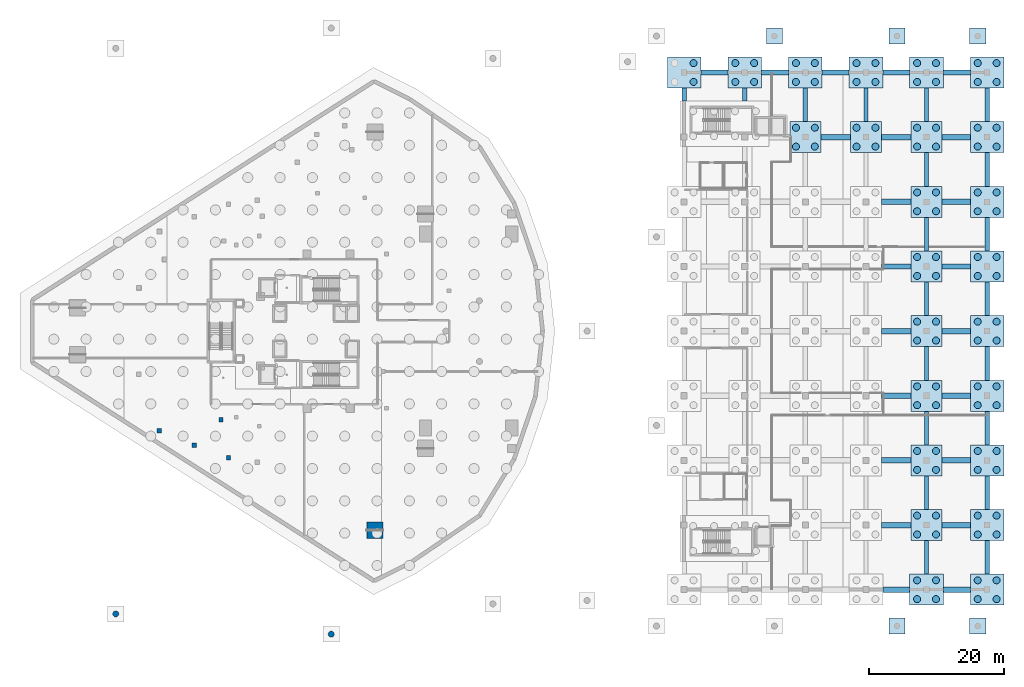
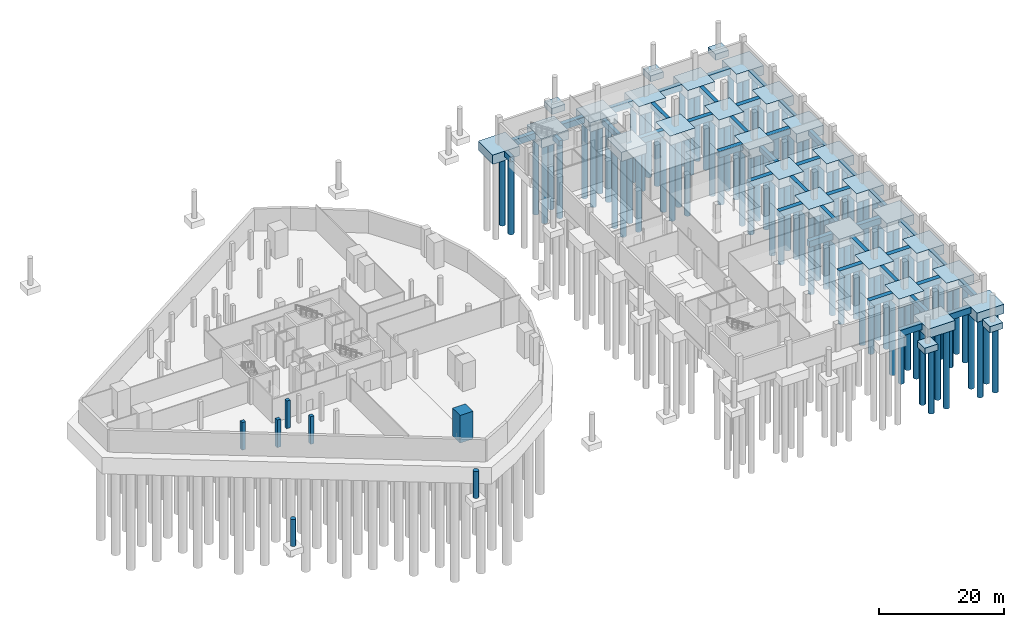
# One storey, part 3 of 22: 94 piles, 71 footings, 7 columns.
"""IFC4 building model written with IfcOpenShell, lengths in metres."""

import ifcopenshell
import ifcopenshell.guid

model = None  # the IFC model being written
_history = None  # IfcOwnerHistory: only IFC2X3 demands one
_inside = {}  # id of a spatial element -> (the spatial element, [elements in it])
_under = {}  # id of a project, library or spatial element -> (it, [spatial elements below it])
_declared = {}  # id of a project -> (the project, [libraries it declares])
_typed = {}  # id of a type object -> (the type object, [elements of that type])
_made_of = {}  # id of a material, layer set ... -> (it, [elements and type objects made of it])


def new_model(schema):
    """Start an empty IFC model of exactly this schema.

    Asked for "IFC4X3", IfcOpenShell would pick the latest addendum, in which some entities
    have other attributes; the version numbers below select the first issue.
    IFC2X3 requires an IfcOwnerHistory on every rooted entity: one is made here for all.
    """
    global model, _history
    if schema == "IFC4X3":
        model = ifcopenshell.file(schema_version=(4, 3, 0, 0))
    else:
        model = ifcopenshell.file(schema=schema)
    _inside.clear()
    _under.clear()
    _declared.clear()
    _typed.clear()
    _made_of.clear()
    _history = None
    if model.schema == "IFC2X3":
        org = make("IfcOrganization", Name="unknown")
        user = make(
            "IfcPersonAndOrganization",
            ThePerson=make("IfcPerson", FamilyName="unknown"),
            TheOrganization=org,
        )
        app = make(
            "IfcApplication",
            ApplicationDeveloper=org,
            Version="unknown",
            ApplicationFullName="unknown",
            ApplicationIdentifier="unknown",
        )
        _history = make(
            "IfcOwnerHistory",
            OwningUser=user,
            OwningApplication=app,
            ChangeAction="ADDED",
            CreationDate=0,
        )
    return model


def make(cls, **values):
    """One entity of the class cls with the attributes given. An attribute that is None is left unset."""
    return model.create_entity(
        cls, **{name: value for name, value in values.items() if value is not None}
    )


def rooted(cls, **values):
    """An entity with a GlobalId (a new one), such as an element, a storey or a relation."""
    return make(cls, GlobalId=ifcopenshell.guid.new(), OwnerHistory=_history, **values)


def si_unit(unit_type, name, prefix=None):
    """IfcSIUnit, for example si_unit("LENGTHUNIT", "METRE", prefix="MILLI")."""
    return make("IfcSIUnit", UnitType=unit_type, Prefix=prefix, Name=name)


def assignment(units):
    """IfcUnitAssignment: the units of a project."""
    return None if units is None else make("IfcUnitAssignment", Units=units)


def point(xyz):
    """IfcCartesianPoint."""
    return None if xyz is None else make("IfcCartesianPoint", Coordinates=xyz)


def direction(xyz):
    """IfcDirection."""
    return None if xyz is None else make("IfcDirection", DirectionRatios=xyz)


def frame(location, z_axis=None, x_axis=None):
    """IfcAxis2Placement3D, a coordinate frame: its origin and axes. An axis left out is left unset."""
    return make(
        "IfcAxis2Placement3D",
        Location=point(location),
        Axis=direction(z_axis),
        RefDirection=direction(x_axis),
    )


def frame_2d(location, x_axis=None):
    """IfcAxis2Placement2D, a coordinate frame in the plane: its origin and x axis."""
    return make(
        "IfcAxis2Placement2D", Location=point(location), RefDirection=direction(x_axis)
    )


def origin():
    """The frame at (0, 0, 0) with its axes left unset."""
    return frame((0.0, 0.0, 0.0))


def origin_2d():
    """The frame at (0, 0) in the plane with its x axis left unset."""
    return frame_2d((0.0, 0.0))


def place(relative_to, where):
    """IfcLocalPlacement: puts the frame where relative to a parent placement (None: the world)."""
    return make(
        "IfcLocalPlacement", PlacementRelTo=relative_to, RelativePlacement=where
    )


def context(
    kind, dimensions, precision=None, world=None, true_north=None, identifier=None
):
    """IfcGeometricRepresentationContext, for example the 3D "Model" context."""
    return make(
        "IfcGeometricRepresentationContext",
        ContextIdentifier=identifier,
        ContextType=kind,
        CoordinateSpaceDimension=dimensions,
        Precision=precision,
        WorldCoordinateSystem=world,
        TrueNorth=true_north,
    )


def subcontext(parent, identifier, kind, view, scale=None):
    """IfcGeometricRepresentationSubContext, for example "Body" below "Model"."""
    return make(
        "IfcGeometricRepresentationSubContext",
        ContextIdentifier=identifier,
        ContextType=kind,
        ParentContext=parent,
        TargetScale=scale,
        TargetView=view,
    )


def project(units=None, contexts=None):
    """IfcProject with its units and contexts."""
    return rooted(
        "IfcProject",
        Name="project",
        RepresentationContexts=contexts,
        UnitsInContext=assignment(units),
    )


def spatial(cls, under=None, at=None, **own):
    """A site, building, storey or space (cls), placed at a placement, below another one or the project."""
    s = rooted(cls, ObjectPlacement=at, **own)
    if under is not None:
        _under.setdefault(under.id(), (under, []))[1].append(s)
    return s


def profile(cls, at=None, kind="AREA", **sizes):
    """A parametric profile (cls). Its sizes go by their IFC names, for example OverallWidth=200.0."""
    return make(cls, ProfileType=kind, Position=at, **sizes)


def rectangle(**sizes):
    """IfcRectangleProfileDef."""
    return profile("IfcRectangleProfileDef", **sizes)


def circle(**sizes):
    """IfcCircleProfileDef."""
    return profile("IfcCircleProfileDef", **sizes)


def extrude(swept, where, along, depth):
    """IfcExtrudedAreaSolid: the profile swept, set in the frame where, extruded along a direction by depth."""
    return make(
        "IfcExtrudedAreaSolid",
        SweptArea=swept,
        Position=where,
        ExtrudedDirection=direction(along),
        Depth=depth,
    )


def shape(context_of_items, identifier, shape_type, items):
    """IfcShapeRepresentation: the items that make up one representation, for example the "Body"."""
    return make(
        "IfcShapeRepresentation",
        ContextOfItems=context_of_items,
        RepresentationIdentifier=identifier,
        RepresentationType=shape_type,
        Items=items,
    )


def material(Name=None, Category=None):
    """IfcMaterial."""
    return make("IfcMaterial", Name=Name, Category=Category)


def layer(
    of_material, thickness, ventilated=None, Name=None, Category=None, Priority=None
):
    """IfcMaterialLayer: one layer of a wall or slab, of a material (None: an air gap)."""
    return make(
        "IfcMaterialLayer",
        Material=of_material,
        LayerThickness=thickness,
        IsVentilated=ventilated,
        Name=Name,
        Category=Category,
        Priority=Priority,
    )


def layer_set(layers, Name=None):
    """IfcMaterialLayerSet."""
    return make("IfcMaterialLayerSet", MaterialLayers=layers, LayerSetName=Name)


def material_profile(
    of_material, cross_section, Name=None, Category=None, Priority=None
):
    """IfcMaterialProfile: a cross section and its material."""
    return make(
        "IfcMaterialProfile",
        Name=Name,
        Material=of_material,
        Profile=cross_section,
        Priority=Priority,
        Category=Category,
    )


def profile_set(profiles, Name=None, composite=None):
    """IfcMaterialProfileSet."""
    return make(
        "IfcMaterialProfileSet",
        Name=Name,
        MaterialProfiles=profiles,
        CompositeProfile=composite,
    )


def made_of(thing, what):
    """Note that an element or type object is made of a material, layer set ...; save() writes the relation."""
    if what is not None:
        _made_of.setdefault(what.id(), (what, []))[1].append(thing)
    return thing


def type_object(cls, material=None, **own):
    """A type object (cls), such as IfcWallType, which elements share."""
    return made_of(rooted(cls, **own), material)


def element(
    cls,
    number,
    at=None,
    inside=None,
    cuts=None,
    type_object=None,
    material=None,
    context=None,
    identifier="Body",
    shape_type=None,
    held_by="IfcProductDefinitionShape",
    body=None,
    shapes=None,
    **own,
):
    """One element of the class cls, such as IfcWall. Its Tag is "e" and its number.

    at: its placement. inside: the storey or other place that contains it. cuts: it is an
    opening in that element (IfcRelVoidsElement). A single representation is given by context,
    identifier, shape_type and body (its items); several are given by shapes. held_by: the class
    of the entity that holds the representations. save() writes the other relations.
    """
    e = rooted(cls, Tag="e%d" % number, ObjectPlacement=at, **own)
    if body is not None:
        shapes = [shape(context, identifier, shape_type, body)]
    if shapes is not None:
        e.Representation = make(held_by, Representations=shapes)
    if inside is not None:
        _inside.setdefault(inside.id(), (inside, []))[1].append(e)
    if cuts is not None:
        rooted(
            "IfcRelVoidsElement", RelatingBuildingElement=cuts, RelatedOpeningElement=e
        )
    if type_object is not None:
        _typed.setdefault(type_object.id(), (type_object, []))[1].append(e)
    return made_of(e, material)


def aggregate(whole, parts):
    """IfcRelAggregates: a whole, such as a stair, and the parts it consists of."""
    return rooted("IfcRelAggregates", RelatingObject=whole, RelatedObjects=parts)


def save(model, path):
    """Write the relations noted so far, then the file.

    IfcRelAggregates (storeys below a building ...), IfcRelContainedInSpatialStructure (elements
    in a storey), IfcRelDefinesByType, IfcRelAssociatesMaterial and IfcRelDeclares: one each for
    every whole, place, type object, material and project.
    """
    for whole, parts in _under.values():
        aggregate(whole, parts)
    for where, things in _inside.values():
        rooted(
            "IfcRelContainedInSpatialStructure",
            RelatedElements=things,
            RelatingStructure=where,
        )
    for kind, things in _typed.values():
        rooted("IfcRelDefinesByType", RelatedObjects=things, RelatingType=kind)
    for what, things in _made_of.values():
        rooted("IfcRelAssociatesMaterial", RelatedObjects=things, RelatingMaterial=what)
    for by, libraries in _declared.values():
        rooted("IfcRelDeclares", RelatingContext=by, RelatedDefinitions=libraries)
    model.write(path)


model = new_model("IFC4")

# Units and contexts
model_context = context("Model", 3, precision=1e-05, world=origin(), true_north=direction((0.0, 1.0)))
body_context = subcontext(model_context, "Body", "Model", "MODEL_VIEW")
ifc_project = project(units=[si_unit("LENGTHUNIT", "METRE"), si_unit("AREAUNIT", "SQUARE_METRE"), si_unit("VOLUMEUNIT", "CUBIC_METRE"), si_unit("PLANEANGLEUNIT", "RADIAN"), si_unit("MASSUNIT", "GRAM", prefix="KILO")], contexts=[model_context])

# Site, building, storey
site_placement = place(None, origin())
site = spatial("IfcSite", under=ifc_project, at=site_placement, CompositionType="ELEMENT")
building_placement = place(site_placement, origin())
building = spatial("IfcBuilding", under=site, at=building_placement, Name="Qorvath Tower", CompositionType="ELEMENT")
storey_placement = place(building_placement, frame((0.0, 0.0, -5.39990234375)))
storey = spatial("IfcBuildingStorey", under=building, at=storey_placement, Name="B01", CompositionType="ELEMENT", Elevation=-5.39990234375)

# Footings
ifc_material_1 = material(Name="Concrete C45/55", Category="concrete")
ifc_material_profile_1 = material_profile(ifc_material_1, rectangle(XDim=0.800048828125, YDim=1.199951171875, at=origin_2d()), Name="GB 800x1200")
ifc_profile_set_1 = profile_set([ifc_material_profile_1], Name="Concrete C45/55")
footing_type_1 = type_object("IfcFootingType", Name="FT-GB1", PredefinedType="FOOTING_BEAM", material=ifc_profile_set_1)
for number, where, z_axis, x_axis, name in (
    (1, (61.89990234375, -38.39990234375, -0.60009765625), (1.0, 0.0, 0.0), (0.0, 1.0, 0.0), "Library Tie Beam GB-004"),
    (2, (70.89990234375, -38.39990234375, -0.60009765625), (1.0, 0.0, 0.0), (0.0, 1.0, 0.0), "Library Tie Beam GB-005"),
):
    element("IfcFooting", number, at=place(storey_placement, frame(where, z_axis=z_axis, x_axis=x_axis)), inside=storey, type_object=footing_type_1, Name=name, PredefinedType="FOOTING_BEAM", context=body_context, shape_type="SweptSolid", body=[
        extrude(rectangle(XDim=0.800048828125, YDim=1.199951171875, at=origin_2d()), origin(), (0.0, 0.0, 1.0), 4.0),
    ])
footing_1_placement = place(storey_placement, frame((61.699951171875, -28.800048828125, -0.60009765625), z_axis=(1.0, 0.0, 0.0), x_axis=(0.0, 1.0, 0.0)))
element("IfcFooting", 3, at=footing_1_placement, inside=storey, type_object=footing_type_1, Name="Library Tie Beam GB-008", PredefinedType="FOOTING_BEAM", context=body_context, shape_type="SweptSolid", body=[
    extrude(rectangle(XDim=0.800048828125, YDim=1.199951171875, at=origin_2d()), origin(), (0.0, 0.0, 1.0), 4.400146484375),
])
footing_2_placement = place(storey_placement, frame((70.699951171875, -28.800048828125, -0.60009765625), z_axis=(1.0, 0.0, 0.0), x_axis=(0.0, 1.0, 0.0)))
element("IfcFooting", 4, at=footing_2_placement, inside=storey, type_object=footing_type_1, Name="Library Tie Beam GB-009", PredefinedType="FOOTING_BEAM", context=body_context, shape_type="SweptSolid", body=[
    extrude(rectangle(XDim=0.800048828125, YDim=1.199951171875, at=origin_2d()), origin(), (0.0, 0.0, 1.0), 4.199951171875),
])
footing_3_placement = place(storey_placement, frame((61.699951171875, -19.199951171875, -0.60009765625), z_axis=(1.0, 0.0, 0.0), x_axis=(0.0, 1.0, 0.0)))
element("IfcFooting", 5, at=footing_3_placement, inside=storey, type_object=footing_type_1, Name="Library Tie Beam GB-013", PredefinedType="FOOTING_BEAM", context=body_context, shape_type="SweptSolid", body=[
    extrude(rectangle(XDim=0.800048828125, YDim=1.199951171875, at=origin_2d()), origin(), (0.0, 0.0, 1.0), 4.400146484375),
])
footing_4_placement = place(storey_placement, frame((70.699951171875, -19.199951171875, -0.60009765625), z_axis=(1.0, 0.0, 0.0), x_axis=(0.0, 1.0, 0.0)))
element("IfcFooting", 6, at=footing_4_placement, inside=storey, type_object=footing_type_1, Name="Library Tie Beam GB-014", PredefinedType="FOOTING_BEAM", context=body_context, shape_type="SweptSolid", body=[
    extrude(rectangle(XDim=0.800048828125, YDim=1.199951171875, at=origin_2d()), origin(), (0.0, 0.0, 1.0), 4.199951171875),
])
footing_5_placement = place(storey_placement, frame((61.699951171875, -9.60009765625, -0.60009765625), z_axis=(1.0, 0.0, 0.0), x_axis=(0.0, 1.0, 0.0)))
element("IfcFooting", 7, at=footing_5_placement, inside=storey, type_object=footing_type_1, Name="Library Tie Beam GB-018", PredefinedType="FOOTING_BEAM", context=body_context, shape_type="SweptSolid", body=[
    extrude(rectangle(XDim=0.800048828125, YDim=1.199951171875, at=origin_2d()), origin(), (0.0, 0.0, 1.0), 4.400146484375),
])
footing_6_placement = place(storey_placement, frame((70.699951171875, -9.60009765625, -0.60009765625), z_axis=(1.0, 0.0, 0.0), x_axis=(0.0, 1.0, 0.0)))
element("IfcFooting", 8, at=footing_6_placement, inside=storey, type_object=footing_type_1, Name="Library Tie Beam GB-019", PredefinedType="FOOTING_BEAM", context=body_context, shape_type="SweptSolid", body=[
    extrude(rectangle(XDim=0.800048828125, YDim=1.199951171875, at=origin_2d()), origin(), (0.0, 0.0, 1.0), 4.199951171875),
])
footing_7_placement = place(storey_placement, frame((61.699951171875, 0.0, -0.60009765625), z_axis=(1.0, 0.0, 0.0), x_axis=(0.0, 1.0, 0.0)))
element("IfcFooting", 9, at=footing_7_placement, inside=storey, type_object=footing_type_1, Name="Library Tie Beam GB-023", PredefinedType="FOOTING_BEAM", context=body_context, shape_type="SweptSolid", body=[
    extrude(rectangle(XDim=0.800048828125, YDim=1.199951171875, at=origin_2d()), origin(), (0.0, 0.0, 1.0), 4.400146484375),
])
footing_8_placement = place(storey_placement, frame((70.699951171875, 0.0, -0.60009765625), z_axis=(1.0, 0.0, 0.0), x_axis=(0.0, 1.0, 0.0)))
element("IfcFooting", 10, at=footing_8_placement, inside=storey, type_object=footing_type_1, Name="Library Tie Beam GB-024", PredefinedType="FOOTING_BEAM", context=body_context, shape_type="SweptSolid", body=[
    extrude(rectangle(XDim=0.800048828125, YDim=1.199951171875, at=origin_2d()), origin(), (0.0, 0.0, 1.0), 4.199951171875),
])
footing_9_placement = place(storey_placement, frame((61.699951171875, 9.60009765625, -0.60009765625), z_axis=(1.0, 0.0, 0.0), x_axis=(0.0, 1.0, 0.0)))
element("IfcFooting", 11, at=footing_9_placement, inside=storey, type_object=footing_type_1, Name="Library Tie Beam GB-028", PredefinedType="FOOTING_BEAM", context=body_context, shape_type="SweptSolid", body=[
    extrude(rectangle(XDim=0.800048828125, YDim=1.199951171875, at=origin_2d()), origin(), (0.0, 0.0, 1.0), 4.400146484375),
])
footing_10_placement = place(storey_placement, frame((70.699951171875, 9.60009765625, -0.60009765625), z_axis=(1.0, 0.0, 0.0), x_axis=(0.0, 1.0, 0.0)))
element("IfcFooting", 12, at=footing_10_placement, inside=storey, type_object=footing_type_1, Name="Library Tie Beam GB-029", PredefinedType="FOOTING_BEAM", context=body_context, shape_type="SweptSolid", body=[
    extrude(rectangle(XDim=0.800048828125, YDim=1.199951171875, at=origin_2d()), origin(), (0.0, 0.0, 1.0), 4.199951171875),
])
footing_11_placement = place(storey_placement, frame((61.699951171875, 19.199951171875, -0.60009765625), z_axis=(1.0, 0.0, 0.0), x_axis=(0.0, 1.0, 0.0)))
element("IfcFooting", 13, at=footing_11_placement, inside=storey, type_object=footing_type_1, Name="Library Tie Beam GB-033", PredefinedType="FOOTING_BEAM", context=body_context, shape_type="SweptSolid", body=[
    extrude(rectangle(XDim=0.800048828125, YDim=1.199951171875, at=origin_2d()), origin(), (0.0, 0.0, 1.0), 4.400146484375),
])
footing_12_placement = place(storey_placement, frame((70.699951171875, 19.199951171875, -0.60009765625), z_axis=(1.0, 0.0, 0.0), x_axis=(0.0, 1.0, 0.0)))
element("IfcFooting", 14, at=footing_12_placement, inside=storey, type_object=footing_type_1, Name="Library Tie Beam GB-034", PredefinedType="FOOTING_BEAM", context=body_context, shape_type="SweptSolid", body=[
    extrude(rectangle(XDim=0.800048828125, YDim=1.199951171875, at=origin_2d()), origin(), (0.0, 0.0, 1.0), 4.199951171875),
])
for number, where, z_axis, x_axis, name in (
    (15, (52.699951171875, 28.800048828125, -0.60009765625), (1.0, 0.0, 0.0), (0.0, 1.0, 0.0), "Library Tie Beam GB-036"),
    (16, (61.699951171875, 28.800048828125, -0.60009765625), (1.0, 0.0, 0.0), (0.0, 1.0, 0.0), "Library Tie Beam GB-037"),
):
    element("IfcFooting", number, at=place(storey_placement, frame(where, z_axis=z_axis, x_axis=x_axis)), inside=storey, type_object=footing_type_1, Name=name, PredefinedType="FOOTING_BEAM", context=body_context, shape_type="SweptSolid", body=[
        extrude(rectangle(XDim=0.800048828125, YDim=1.199951171875, at=origin_2d()), origin(), (0.0, 0.0, 1.0), 4.400146484375),
    ])
footing_13_placement = place(storey_placement, frame((70.699951171875, 28.800048828125, -0.60009765625), z_axis=(1.0, 0.0, 0.0), x_axis=(0.0, 1.0, 0.0)))
element("IfcFooting", 17, at=footing_13_placement, inside=storey, type_object=footing_type_1, Name="Library Tie Beam GB-038", PredefinedType="FOOTING_BEAM", context=body_context, shape_type="SweptSolid", body=[
    extrude(rectangle(XDim=0.800048828125, YDim=1.199951171875, at=origin_2d()), origin(), (0.0, 0.0, 1.0), 4.199951171875),
])
for number, where, z_axis, x_axis, name in (
    (18, (34.89990234375, 38.39990234375, -0.60009765625), (1.0, 0.0, 0.0), (0.0, 1.0, 0.0), "Library Tie Beam GB-039"),
    (19, (43.89990234375, 38.39990234375, -0.60009765625), (1.0, 0.0, 0.0), (0.0, 1.0, 0.0), "Library Tie Beam GB-040"),
    (20, (52.89990234375, 38.39990234375, -0.60009765625), (1.0, 0.0, 0.0), (0.0, 1.0, 0.0), "Library Tie Beam GB-041"),
    (21, (61.89990234375, 38.39990234375, -0.60009765625), (1.0, 0.0, 0.0), (0.0, 1.0, 0.0), "Library Tie Beam GB-042"),
    (22, (70.89990234375, 38.39990234375, -0.60009765625), (1.0, 0.0, 0.0), (0.0, 1.0, 0.0), "Library Tie Beam GB-043"),
):
    element("IfcFooting", number, at=place(storey_placement, frame(where, z_axis=z_axis, x_axis=x_axis)), inside=storey, type_object=footing_type_1, Name=name, PredefinedType="FOOTING_BEAM", context=body_context, shape_type="SweptSolid", body=[
        extrude(rectangle(XDim=0.800048828125, YDim=1.199951171875, at=origin_2d()), origin(), (0.0, 0.0, 1.0), 4.0),
    ])
ifc_material_2 = material(Name="Concrete C45/55", Category="concrete")
ifc_material_profile_2 = material_profile(ifc_material_2, rectangle(XDim=0.64990234375, YDim=1.0, at=origin_2d()), Name="GB 650x1000")
ifc_profile_set_2 = profile_set([ifc_material_profile_2], Name="Concrete C45/55")
footing_type_2 = type_object("IfcFootingType", Name="FT-GB2", PredefinedType="FOOTING_BEAM", material=ifc_profile_set_2)
for number, where, z_axis, x_axis, name in (
    (23, (32.39990234375, 34.199951171875, -0.5), (0.0, 1.0, 0.0), (-1.0, 0.0, 0.0), "Library Tie Beam GB-051"),
    (24, (41.39990234375, 34.199951171875, -0.5), (0.0, 1.0, 0.0), (-1.0, 0.0, 0.0), "Library Tie Beam GB-059"),
):
    element("IfcFooting", number, at=place(storey_placement, frame(where, z_axis=z_axis, x_axis=x_axis)), inside=storey, type_object=footing_type_2, Name=name, PredefinedType="FOOTING_BEAM", context=body_context, shape_type="SweptSolid", body=[
        extrude(rectangle(XDim=0.64990234375, YDim=1.0, at=origin_2d()), origin(), (0.0, 0.0, 1.0), 1.900146484375),
    ])
for number, where, z_axis, x_axis, name in (
    (25, (50.39990234375, 31.10009765625, -0.5), (0.0, 1.0, 0.0), (-1.0, 0.0, 0.0), "Library Tie Beam GB-067"),
    (26, (59.39990234375, 31.10009765625, -0.5), (0.0, 1.0, 0.0), (-1.0, 0.0, 0.0), "Library Tie Beam GB-075"),
    (27, (68.39990234375, -36.10009765625, -0.5), (0.0, 1.0, 0.0), (-1.0, 0.0, 0.0), "Library Tie Beam GB-076"),
    (28, (68.39990234375, -26.5, -0.5), (0.0, 1.0, 0.0), (-1.0, 0.0, 0.0), "Library Tie Beam GB-077"),
    (29, (68.39990234375, -16.89990234375, -0.5), (0.0, 1.0, 0.0), (-1.0, 0.0, 0.0), "Library Tie Beam GB-078"),
    (30, (68.39990234375, -7.300048828125, -0.5), (0.0, 1.0, 0.0), (-1.0, 0.0, 0.0), "Library Tie Beam GB-079"),
    (31, (68.39990234375, 2.300048828125, -0.5), (0.0, 1.0, 0.0), (-1.0, 0.0, 0.0), "Library Tie Beam GB-080"),
    (32, (68.39990234375, 11.89990234375, -0.5), (0.0, 1.0, 0.0), (-1.0, 0.0, 0.0), "Library Tie Beam GB-081"),
    (33, (68.39990234375, 21.5, -0.5), (0.0, 1.0, 0.0), (-1.0, 0.0, 0.0), "Library Tie Beam GB-082"),
    (34, (68.39990234375, 31.10009765625, -0.5), (0.0, 1.0, 0.0), (-1.0, 0.0, 0.0), "Library Tie Beam GB-083"),
    (35, (77.39990234375, -36.10009765625, -0.5), (0.0, 1.0, 0.0), (-1.0, 0.0, 0.0), "Library Tie Beam GB-084"),
    (36, (77.39990234375, -26.5, -0.5), (0.0, 1.0, 0.0), (-1.0, 0.0, 0.0), "Library Tie Beam GB-085"),
    (37, (77.39990234375, -16.89990234375, -0.5), (0.0, 1.0, 0.0), (-1.0, 0.0, 0.0), "Library Tie Beam GB-086"),
    (38, (77.39990234375, -7.300048828125, -0.5), (0.0, 1.0, 0.0), (-1.0, 0.0, 0.0), "Library Tie Beam GB-087"),
    (39, (77.39990234375, 2.300048828125, -0.5), (0.0, 1.0, 0.0), (-1.0, 0.0, 0.0), "Library Tie Beam GB-088"),
    (40, (77.39990234375, 11.89990234375, -0.5), (0.0, 1.0, 0.0), (-1.0, 0.0, 0.0), "Library Tie Beam GB-089"),
    (41, (77.39990234375, 21.5, -0.5), (0.0, 1.0, 0.0), (-1.0, 0.0, 0.0), "Library Tie Beam GB-090"),
    (42, (77.39990234375, 31.10009765625, -0.5), (0.0, 1.0, 0.0), (-1.0, 0.0, 0.0), "Library Tie Beam GB-091"),
):
    element("IfcFooting", number, at=place(storey_placement, frame(where, z_axis=z_axis, x_axis=x_axis)), inside=storey, type_object=footing_type_2, Name=name, PredefinedType="FOOTING_BEAM", context=body_context, shape_type="SweptSolid", body=[
        extrude(rectangle(XDim=0.64990234375, YDim=1.0, at=origin_2d()), origin(), (0.0, 0.0, 1.0), 5.0),
    ])
ifc_material_3 = material(Name="Concrete C45/55", Category="concrete")
ifc_layer_1 = layer(ifc_material_3, 1.800048828125)
ifc_layer_set_1 = layer_set([ifc_layer_1], Name="FT-PC-L1")
footing_type_3 = type_object("IfcFootingType", Name="FT-PC-L1", PredefinedType="PILE_CAP", material=ifc_layer_set_1)
for number, where, z_axis, x_axis, name in (
    (43, (50.39990234375, 28.800048828125, -1.80029296875), (0.0, 0.0, 1.0), (1.0, 0.0, 0.0), "Library Pile Cap PC-22"),
    (44, (59.39990234375, 28.800048828125, -1.80029296875), (0.0, 0.0, 1.0), (1.0, 0.0, 0.0), "Library Pile Cap PC-31"),
    (45, (68.39990234375, -28.800048828125, -1.80029296875), (0.0, 0.0, 1.0), (1.0, 0.0, 0.0), "Library Pile Cap PC-34"),
    (46, (68.39990234375, -19.199951171875, -1.80029296875), (0.0, 0.0, 1.0), (1.0, 0.0, 0.0), "Library Pile Cap PC-35"),
    (47, (68.39990234375, -9.60009765625, -1.80029296875), (0.0, 0.0, 1.0), (1.0, 0.0, 0.0), "Library Pile Cap PC-36"),
    (48, (68.39990234375, 0.0, -1.80029296875), (0.0, 0.0, 1.0), (1.0, 0.0, 0.0), "Library Pile Cap PC-37"),
    (49, (68.39990234375, 9.60009765625, -1.80029296875), (0.0, 0.0, 1.0), (1.0, 0.0, 0.0), "Library Pile Cap PC-38"),
    (50, (68.39990234375, 19.199951171875, -1.80029296875), (0.0, 0.0, 1.0), (1.0, 0.0, 0.0), "Library Pile Cap PC-39"),
    (51, (68.39990234375, 28.800048828125, -1.80029296875), (0.0, 0.0, 1.0), (1.0, 0.0, 0.0), "Library Pile Cap PC-40"),
):
    element("IfcFooting", number, at=place(storey_placement, frame(where, z_axis=z_axis, x_axis=x_axis)), inside=storey, type_object=footing_type_3, Name=name, PredefinedType="PILE_CAP", context=body_context, shape_type="SweptSolid", body=[
        extrude(rectangle(XDim=4.60009765625, YDim=4.60009765625, at=origin_2d()), origin(), (0.0, 0.0, 1.0), 1.800048828125),
    ])
ifc_material_4 = material(Name="Concrete C45/55", Category="concrete")
ifc_layer_2 = layer(ifc_material_4, 1.800048828125)
ifc_layer_set_2 = layer_set([ifc_layer_2], Name="FT-PC-L2")
footing_type_4 = type_object("IfcFootingType", Name="FT-PC-L2", PredefinedType="PILE_CAP", material=ifc_layer_set_2)
for number, where, z_axis, x_axis, name in (
    (52, (32.39990234375, 38.39990234375, -1.80029296875), (0.0, 0.0, 1.0), (1.0, 0.0, 0.0), "Library Pile Cap PC-07"),
    (53, (41.39990234375, 38.39990234375, -1.80029296875), (0.0, 0.0, 1.0), (1.0, 0.0, 0.0), "Library Pile Cap PC-14"),
    (54, (50.39990234375, 38.39990234375, -1.80029296875), (0.0, 0.0, 1.0), (1.0, 0.0, 0.0), "Library Pile Cap PC-23"),
    (55, (59.39990234375, 38.39990234375, -1.80029296875), (0.0, 0.0, 1.0), (1.0, 0.0, 0.0), "Library Pile Cap PC-32"),
    (56, (68.39990234375, -38.39990234375, -1.80029296875), (0.0, 0.0, 1.0), (1.0, 0.0, 0.0), "Library Pile Cap PC-33"),
    (57, (68.39990234375, 38.39990234375, -1.80029296875), (0.0, 0.0, 1.0), (1.0, 0.0, 0.0), "Library Pile Cap PC-41"),
    (58, (77.39990234375, -38.39990234375, -1.80029296875), (0.0, 0.0, 1.0), (1.0, 0.0, 0.0), "Library Pile Cap PC-42"),
    (59, (77.39990234375, -28.800048828125, -1.80029296875), (0.0, 0.0, 1.0), (1.0, 0.0, 0.0), "Library Pile Cap PC-43"),
    (60, (77.39990234375, -19.199951171875, -1.80029296875), (0.0, 0.0, 1.0), (1.0, 0.0, 0.0), "Library Pile Cap PC-44"),
    (61, (77.39990234375, -9.60009765625, -1.80029296875), (0.0, 0.0, 1.0), (1.0, 0.0, 0.0), "Library Pile Cap PC-45"),
    (62, (77.39990234375, 0.0, -1.80029296875), (0.0, 0.0, 1.0), (1.0, 0.0, 0.0), "Library Pile Cap PC-46"),
    (63, (77.39990234375, 9.60009765625, -1.80029296875), (0.0, 0.0, 1.0), (1.0, 0.0, 0.0), "Library Pile Cap PC-47"),
    (64, (77.39990234375, 19.199951171875, -1.80029296875), (0.0, 0.0, 1.0), (1.0, 0.0, 0.0), "Library Pile Cap PC-48"),
    (65, (77.39990234375, 28.800048828125, -1.80029296875), (0.0, 0.0, 1.0), (1.0, 0.0, 0.0), "Library Pile Cap PC-49"),
    (66, (77.39990234375, 38.39990234375, -1.80029296875), (0.0, 0.0, 1.0), (1.0, 0.0, 0.0), "Library Pile Cap PC-50"),
):
    element("IfcFooting", number, at=place(storey_placement, frame(where, z_axis=z_axis, x_axis=x_axis)), inside=storey, type_object=footing_type_4, Name=name, PredefinedType="PILE_CAP", context=body_context, shape_type="SweptSolid", body=[
        extrude(rectangle(XDim=5.0, YDim=4.60009765625, at=origin_2d()), origin(), (0.0, 0.0, 1.0), 1.800048828125),
    ])
ifc_material_5 = material(Name="Concrete C45/55", Category="concrete")
ifc_layer_3 = layer(ifc_material_5, 1.199951171875)
ifc_layer_set_3 = layer_set([ifc_layer_3], Name="FT-PF1")
footing_type_5 = type_object("IfcFootingType", Name="FT-PF1", PredefinedType="PAD_FOOTING", material=ifc_layer_set_3)
for number, where, z_axis, x_axis, name in (
    (67, (45.800048828125, 43.800048828125, -1.2001953125), (0.0, 0.0, 1.0), (1.0, 0.0, 0.0), "Plaza Deck Pad Footing PF-17"),
    (68, (64.0, 43.800048828125, -1.2001953125), (0.0, 0.0, 1.0), (1.0, 0.0, 0.0), "Plaza Deck Pad Footing PF-18"),
    (69, (76.0, 43.800048828125, -1.2001953125), (0.0, 0.0, 1.0), (1.0, 0.0, 0.0), "Plaza Deck Pad Footing PF-19"),
    (70, (64.0, -43.800048828125, -1.2001953125), (0.0, 0.0, 1.0), (1.0, 0.0, 0.0), "Plaza Deck Pad Footing PF-21"),
    (71, (76.0, -43.800048828125, -1.2001953125), (0.0, 0.0, 1.0), (1.0, 0.0, 0.0), "Plaza Deck Pad Footing PF-22"),
):
    element("IfcFooting", number, at=place(storey_placement, frame(where, z_axis=z_axis, x_axis=x_axis)), inside=storey, type_object=footing_type_5, Name=name, PredefinedType="PAD_FOOTING", context=body_context, shape_type="SweptSolid", body=[
        extrude(rectangle(XDim=2.39990234375, YDim=2.39990234375, at=origin_2d()), origin(), (0.0, 0.0, 1.0), 1.199951171875),
    ])

# Piles
ifc_material_6 = material(Name="Concrete C45/55", Category="concrete")
ifc_material_profile_3 = material_profile(ifc_material_6, circle(Radius=0.52490234375, at=origin_2d()), Name="BORED PILE 1050")
ifc_profile_set_3 = profile_set([ifc_material_profile_3], Name="Concrete C45/55")
pile_type = type_object("IfcPileType", Name="PILE-P2", PredefinedType="BORED", material=ifc_profile_set_3)
for number, where, z_axis, x_axis, name in (
    (72, (33.800048828125, 37.0, -1.7001953125), (0.0, 0.0, -1.0), (1.0, 0.0, 0.0), "Library Bored Pile P2-043"),
    (73, (33.800048828125, 39.800048828125, -1.7001953125), (0.0, 0.0, -1.0), (1.0, 0.0, 0.0), "Library Bored Pile P2-044"),
    (74, (40.0, 37.0, -1.7001953125), (0.0, 0.0, -1.0), (1.0, 0.0, 0.0), "Library Bored Pile P2-069"),
    (75, (40.0, 39.800048828125, -1.7001953125), (0.0, 0.0, -1.0), (1.0, 0.0, 0.0), "Library Bored Pile P2-070"),
    (76, (42.800048828125, 37.0, -1.7001953125), (0.0, 0.0, -1.0), (1.0, 0.0, 0.0), "Library Bored Pile P2-071"),
    (77, (42.800048828125, 39.800048828125, -1.7001953125), (0.0, 0.0, -1.0), (1.0, 0.0, 0.0), "Library Bored Pile P2-072"),
    (78, (49.0, 27.39990234375, -1.7001953125), (0.0, 0.0, -1.0), (1.0, 0.0, 0.0), "Library Bored Pile P2-101"),
    (79, (49.0, 30.199951171875, -1.7001953125), (0.0, 0.0, -1.0), (1.0, 0.0, 0.0), "Library Bored Pile P2-102"),
    (80, (51.800048828125, 27.39990234375, -1.7001953125), (0.0, 0.0, -1.0), (1.0, 0.0, 0.0), "Library Bored Pile P2-103"),
    (81, (51.800048828125, 30.199951171875, -1.7001953125), (0.0, 0.0, -1.0), (1.0, 0.0, 0.0), "Library Bored Pile P2-104"),
    (82, (49.0, 37.0, -1.7001953125), (0.0, 0.0, -1.0), (1.0, 0.0, 0.0), "Library Bored Pile P2-105"),
    (83, (49.0, 39.800048828125, -1.7001953125), (0.0, 0.0, -1.0), (1.0, 0.0, 0.0), "Library Bored Pile P2-106"),
    (84, (51.800048828125, 37.0, -1.7001953125), (0.0, 0.0, -1.0), (1.0, 0.0, 0.0), "Library Bored Pile P2-107"),
    (85, (51.800048828125, 39.800048828125, -1.7001953125), (0.0, 0.0, -1.0), (1.0, 0.0, 0.0), "Library Bored Pile P2-108"),
    (86, (58.0, 27.39990234375, -1.7001953125), (0.0, 0.0, -1.0), (1.0, 0.0, 0.0), "Library Bored Pile P2-137"),
    (87, (58.0, 30.199951171875, -1.7001953125), (0.0, 0.0, -1.0), (1.0, 0.0, 0.0), "Library Bored Pile P2-138"),
    (88, (60.800048828125, 27.39990234375, -1.7001953125), (0.0, 0.0, -1.0), (1.0, 0.0, 0.0), "Library Bored Pile P2-139"),
    (89, (60.800048828125, 30.199951171875, -1.7001953125), (0.0, 0.0, -1.0), (1.0, 0.0, 0.0), "Library Bored Pile P2-140"),
    (90, (58.0, 37.0, -1.7001953125), (0.0, 0.0, -1.0), (1.0, 0.0, 0.0), "Library Bored Pile P2-141"),
    (91, (58.0, 39.800048828125, -1.7001953125), (0.0, 0.0, -1.0), (1.0, 0.0, 0.0), "Library Bored Pile P2-142"),
    (92, (60.800048828125, 37.0, -1.7001953125), (0.0, 0.0, -1.0), (1.0, 0.0, 0.0), "Library Bored Pile P2-143"),
    (93, (60.800048828125, 39.800048828125, -1.7001953125), (0.0, 0.0, -1.0), (1.0, 0.0, 0.0), "Library Bored Pile P2-144"),
    (94, (67.0, -39.800048828125, -1.7001953125), (0.0, 0.0, -1.0), (1.0, 0.0, 0.0), "Library Bored Pile P2-145"),
    (95, (67.0, -37.0, -1.7001953125), (0.0, 0.0, -1.0), (1.0, 0.0, 0.0), "Library Bored Pile P2-146"),
    (96, (69.800048828125, -39.800048828125, -1.7001953125), (0.0, 0.0, -1.0), (1.0, 0.0, 0.0), "Library Bored Pile P2-147"),
    (97, (69.800048828125, -37.0, -1.7001953125), (0.0, 0.0, -1.0), (1.0, 0.0, 0.0), "Library Bored Pile P2-148"),
    (98, (67.0, -30.199951171875, -1.7001953125), (0.0, 0.0, -1.0), (1.0, 0.0, 0.0), "Library Bored Pile P2-149"),
    (99, (67.0, -27.39990234375, -1.7001953125), (0.0, 0.0, -1.0), (1.0, 0.0, 0.0), "Library Bored Pile P2-150"),
    (100, (69.800048828125, -30.199951171875, -1.7001953125), (0.0, 0.0, -1.0), (1.0, 0.0, 0.0), "Library Bored Pile P2-151"),
    (101, (69.800048828125, -27.39990234375, -1.7001953125), (0.0, 0.0, -1.0), (1.0, 0.0, 0.0), "Library Bored Pile P2-152"),
    (102, (67.0, -20.60009765625, -1.7001953125), (0.0, 0.0, -1.0), (1.0, 0.0, 0.0), "Library Bored Pile P2-153"),
    (103, (67.0, -17.800048828125, -1.7001953125), (0.0, 0.0, -1.0), (1.0, 0.0, 0.0), "Library Bored Pile P2-154"),
    (104, (69.800048828125, -20.60009765625, -1.7001953125), (0.0, 0.0, -1.0), (1.0, 0.0, 0.0), "Library Bored Pile P2-155"),
    (105, (69.800048828125, -17.800048828125, -1.7001953125), (0.0, 0.0, -1.0), (1.0, 0.0, 0.0), "Library Bored Pile P2-156"),
    (106, (67.0, -11.0, -1.7001953125), (0.0, 0.0, -1.0), (1.0, 0.0, 0.0), "Library Bored Pile P2-157"),
    (107, (67.0, -8.199951171875, -1.7001953125), (0.0, 0.0, -1.0), (1.0, 0.0, 0.0), "Library Bored Pile P2-158"),
    (108, (69.800048828125, -11.0, -1.7001953125), (0.0, 0.0, -1.0), (1.0, 0.0, 0.0), "Library Bored Pile P2-159"),
    (109, (69.800048828125, -8.199951171875, -1.7001953125), (0.0, 0.0, -1.0), (1.0, 0.0, 0.0), "Library Bored Pile P2-160"),
    (110, (67.0, -1.39990234375, -1.7001953125), (0.0, 0.0, -1.0), (1.0, 0.0, 0.0), "Library Bored Pile P2-161"),
    (111, (67.0, 1.39990234375, -1.7001953125), (0.0, 0.0, -1.0), (1.0, 0.0, 0.0), "Library Bored Pile P2-162"),
    (112, (69.800048828125, -1.39990234375, -1.7001953125), (0.0, 0.0, -1.0), (1.0, 0.0, 0.0), "Library Bored Pile P2-163"),
    (113, (69.800048828125, 1.39990234375, -1.7001953125), (0.0, 0.0, -1.0), (1.0, 0.0, 0.0), "Library Bored Pile P2-164"),
    (114, (67.0, 8.199951171875, -1.7001953125), (0.0, 0.0, -1.0), (1.0, 0.0, 0.0), "Library Bored Pile P2-165"),
    (115, (67.0, 11.0, -1.7001953125), (0.0, 0.0, -1.0), (1.0, 0.0, 0.0), "Library Bored Pile P2-166"),
    (116, (69.800048828125, 8.199951171875, -1.7001953125), (0.0, 0.0, -1.0), (1.0, 0.0, 0.0), "Library Bored Pile P2-167"),
    (117, (69.800048828125, 11.0, -1.7001953125), (0.0, 0.0, -1.0), (1.0, 0.0, 0.0), "Library Bored Pile P2-168"),
    (118, (67.0, 17.800048828125, -1.7001953125), (0.0, 0.0, -1.0), (1.0, 0.0, 0.0), "Library Bored Pile P2-169"),
    (119, (67.0, 20.60009765625, -1.7001953125), (0.0, 0.0, -1.0), (1.0, 0.0, 0.0), "Library Bored Pile P2-170"),
    (120, (69.800048828125, 17.800048828125, -1.7001953125), (0.0, 0.0, -1.0), (1.0, 0.0, 0.0), "Library Bored Pile P2-171"),
    (121, (69.800048828125, 20.60009765625, -1.7001953125), (0.0, 0.0, -1.0), (1.0, 0.0, 0.0), "Library Bored Pile P2-172"),
    (122, (67.0, 27.39990234375, -1.7001953125), (0.0, 0.0, -1.0), (1.0, 0.0, 0.0), "Library Bored Pile P2-173"),
    (123, (67.0, 30.199951171875, -1.7001953125), (0.0, 0.0, -1.0), (1.0, 0.0, 0.0), "Library Bored Pile P2-174"),
    (124, (69.800048828125, 27.39990234375, -1.7001953125), (0.0, 0.0, -1.0), (1.0, 0.0, 0.0), "Library Bored Pile P2-175"),
    (125, (69.800048828125, 30.199951171875, -1.7001953125), (0.0, 0.0, -1.0), (1.0, 0.0, 0.0), "Library Bored Pile P2-176"),
    (126, (67.0, 37.0, -1.7001953125), (0.0, 0.0, -1.0), (1.0, 0.0, 0.0), "Library Bored Pile P2-177"),
    (127, (67.0, 39.800048828125, -1.7001953125), (0.0, 0.0, -1.0), (1.0, 0.0, 0.0), "Library Bored Pile P2-178"),
    (128, (69.800048828125, 37.0, -1.7001953125), (0.0, 0.0, -1.0), (1.0, 0.0, 0.0), "Library Bored Pile P2-179"),
    (129, (69.800048828125, 39.800048828125, -1.7001953125), (0.0, 0.0, -1.0), (1.0, 0.0, 0.0), "Library Bored Pile P2-180"),
    (130, (76.0, -39.800048828125, -1.7001953125), (0.0, 0.0, -1.0), (1.0, 0.0, 0.0), "Library Bored Pile P2-181"),
    (131, (76.0, -37.0, -1.7001953125), (0.0, 0.0, -1.0), (1.0, 0.0, 0.0), "Library Bored Pile P2-182"),
    (132, (78.800048828125, -39.800048828125, -1.7001953125), (0.0, 0.0, -1.0), (1.0, 0.0, 0.0), "Library Bored Pile P2-183"),
    (133, (78.800048828125, -37.0, -1.7001953125), (0.0, 0.0, -1.0), (1.0, 0.0, 0.0), "Library Bored Pile P2-184"),
    (134, (76.0, -30.199951171875, -1.7001953125), (0.0, 0.0, -1.0), (1.0, 0.0, 0.0), "Library Bored Pile P2-185"),
    (135, (76.0, -27.39990234375, -1.7001953125), (0.0, 0.0, -1.0), (1.0, 0.0, 0.0), "Library Bored Pile P2-186"),
    (136, (78.800048828125, -30.199951171875, -1.7001953125), (0.0, 0.0, -1.0), (1.0, 0.0, 0.0), "Library Bored Pile P2-187"),
    (137, (78.800048828125, -27.39990234375, -1.7001953125), (0.0, 0.0, -1.0), (1.0, 0.0, 0.0), "Library Bored Pile P2-188"),
    (138, (76.0, -20.60009765625, -1.7001953125), (0.0, 0.0, -1.0), (1.0, 0.0, 0.0), "Library Bored Pile P2-189"),
    (139, (76.0, -17.800048828125, -1.7001953125), (0.0, 0.0, -1.0), (1.0, 0.0, 0.0), "Library Bored Pile P2-190"),
    (140, (78.800048828125, -20.60009765625, -1.7001953125), (0.0, 0.0, -1.0), (1.0, 0.0, 0.0), "Library Bored Pile P2-191"),
    (141, (78.800048828125, -17.800048828125, -1.7001953125), (0.0, 0.0, -1.0), (1.0, 0.0, 0.0), "Library Bored Pile P2-192"),
    (142, (76.0, -11.0, -1.7001953125), (0.0, 0.0, -1.0), (1.0, 0.0, 0.0), "Library Bored Pile P2-193"),
    (143, (76.0, -8.199951171875, -1.7001953125), (0.0, 0.0, -1.0), (1.0, 0.0, 0.0), "Library Bored Pile P2-194"),
    (144, (78.800048828125, -11.0, -1.7001953125), (0.0, 0.0, -1.0), (1.0, 0.0, 0.0), "Library Bored Pile P2-195"),
    (145, (78.800048828125, -8.199951171875, -1.7001953125), (0.0, 0.0, -1.0), (1.0, 0.0, 0.0), "Library Bored Pile P2-196"),
    (146, (76.0, -1.39990234375, -1.7001953125), (0.0, 0.0, -1.0), (1.0, 0.0, 0.0), "Library Bored Pile P2-197"),
    (147, (76.0, 1.39990234375, -1.7001953125), (0.0, 0.0, -1.0), (1.0, 0.0, 0.0), "Library Bored Pile P2-198"),
    (148, (78.800048828125, -1.39990234375, -1.7001953125), (0.0, 0.0, -1.0), (1.0, 0.0, 0.0), "Library Bored Pile P2-199"),
    (149, (78.800048828125, 1.39990234375, -1.7001953125), (0.0, 0.0, -1.0), (1.0, 0.0, 0.0), "Library Bored Pile P2-200"),
    (150, (76.0, 8.199951171875, -1.7001953125), (0.0, 0.0, -1.0), (1.0, 0.0, 0.0), "Library Bored Pile P2-201"),
    (151, (76.0, 11.0, -1.7001953125), (0.0, 0.0, -1.0), (1.0, 0.0, 0.0), "Library Bored Pile P2-202"),
    (152, (78.800048828125, 8.199951171875, -1.7001953125), (0.0, 0.0, -1.0), (1.0, 0.0, 0.0), "Library Bored Pile P2-203"),
    (153, (78.800048828125, 11.0, -1.7001953125), (0.0, 0.0, -1.0), (1.0, 0.0, 0.0), "Library Bored Pile P2-204"),
    (154, (76.0, 17.800048828125, -1.7001953125), (0.0, 0.0, -1.0), (1.0, 0.0, 0.0), "Library Bored Pile P2-205"),
    (155, (76.0, 20.60009765625, -1.7001953125), (0.0, 0.0, -1.0), (1.0, 0.0, 0.0), "Library Bored Pile P2-206"),
    (156, (78.800048828125, 17.800048828125, -1.7001953125), (0.0, 0.0, -1.0), (1.0, 0.0, 0.0), "Library Bored Pile P2-207"),
    (157, (78.800048828125, 20.60009765625, -1.7001953125), (0.0, 0.0, -1.0), (1.0, 0.0, 0.0), "Library Bored Pile P2-208"),
    (158, (76.0, 27.39990234375, -1.7001953125), (0.0, 0.0, -1.0), (1.0, 0.0, 0.0), "Library Bored Pile P2-209"),
    (159, (76.0, 30.199951171875, -1.7001953125), (0.0, 0.0, -1.0), (1.0, 0.0, 0.0), "Library Bored Pile P2-210"),
    (160, (78.800048828125, 27.39990234375, -1.7001953125), (0.0, 0.0, -1.0), (1.0, 0.0, 0.0), "Library Bored Pile P2-211"),
    (161, (78.800048828125, 30.199951171875, -1.7001953125), (0.0, 0.0, -1.0), (1.0, 0.0, 0.0), "Library Bored Pile P2-212"),
    (162, (76.0, 37.0, -1.7001953125), (0.0, 0.0, -1.0), (1.0, 0.0, 0.0), "Library Bored Pile P2-213"),
    (163, (76.0, 39.800048828125, -1.7001953125), (0.0, 0.0, -1.0), (1.0, 0.0, 0.0), "Library Bored Pile P2-214"),
    (164, (78.800048828125, 37.0, -1.7001953125), (0.0, 0.0, -1.0), (1.0, 0.0, 0.0), "Library Bored Pile P2-215"),
    (165, (78.800048828125, 39.800048828125, -1.7001953125), (0.0, 0.0, -1.0), (1.0, 0.0, 0.0), "Library Bored Pile P2-216"),
):
    element("IfcPile", number, at=place(storey_placement, frame(where, z_axis=z_axis, x_axis=x_axis)), inside=storey, type_object=pile_type, Name=name, PredefinedType="BORED", context=body_context, shape_type="SweptSolid", body=[
        extrude(circle(Radius=0.52490234375, at=origin_2d()), origin(), (0.0, 0.0, 1.0), 15.39990234375),
    ])

# Columns
ifc_material_7 = material(Name="Concrete C70/85", Category="concrete")
ifc_material_profile_4 = material_profile(ifc_material_7, rectangle(XDim=2.39990234375, YDim=2.39990234375, at=origin_2d()), Name="MC 2400x2400")
ifc_profile_set_4 = profile_set([ifc_material_profile_4], Name="Concrete C70/85")
column_type_1 = type_object("IfcColumnType", Name="COL-MC1", PredefinedType="COLUMN", material=ifc_profile_set_4)
column_placement = place(storey_placement, frame((-13.52001953125, -29.568115234375, 0.0), z_axis=(0.0, 0.0, 1.0), x_axis=(1.0, 0.0, 0.0)))
element("IfcColumn", 166, at=column_placement, inside=storey, type_object=column_type_1, Name="Composite Mega-Column MC3 B01", PredefinedType="COLUMN", context=body_context, shape_type="SweptSolid", body=[
    extrude(rectangle(XDim=2.39990234375, YDim=2.39990234375, at=origin_2d()), origin(), (0.0, 0.0, 1.0), 5.39990234375),
])
ifc_material_8 = material(Name="Concrete C45/55", Category="concrete")
ifc_material_profile_5 = material_profile(ifc_material_8, rectangle(XDim=0.64990234375, YDim=0.64990234375, at=origin_2d()), Name="RC 650x650")
ifc_profile_set_5 = profile_set([ifc_material_profile_5], Name="Concrete C45/55")
column_type_2 = type_object("IfcColumnType", Name="COL-RC6", PredefinedType="COLUMN", material=ifc_profile_set_5)
for number, where, z_axis, x_axis, name in (
    (167, (-45.536376953125, -14.774658203125, 0.0), (0.0, 0.0, 1.0), (1.0, 0.0, 0.0), "Loggia Frame Pier Column LGA2 B01"),
    (168, (-40.33251953125, -16.955810546875, 0.0), (0.0, 0.0, 1.0), (1.0, 0.0, 0.0), "Loggia Frame Pier Column LGB2 B01"),
    (169, (-35.251708984375, -18.829345703125, 0.0), (0.0, 0.0, 1.0), (1.0, 0.0, 0.0), "Loggia Frame Pier Column LGC2 B01"),
    (170, (-36.36474609375, -13.135498046875, 0.0), (0.0, 0.0, 1.0), (1.0, 0.0, 0.0), "Loggia Frame Pier Column LGF2 B01"),
):
    element("IfcColumn", number, at=place(storey_placement, frame(where, z_axis=z_axis, x_axis=x_axis)), inside=storey, type_object=column_type_2, Name=name, PredefinedType="COLUMN", context=body_context, shape_type="SweptSolid", body=[
        extrude(rectangle(XDim=0.64990234375, YDim=0.64990234375, at=origin_2d()), origin(), (0.0, 0.0, 1.0), 5.39990234375),
    ])
ifc_material_9 = material(Name="Concrete C50/60", Category="concrete")
ifc_material_profile_6 = material_profile(ifc_material_9, circle(Radius=0.449951171875, at=origin_2d()), Name="RCC 900")
ifc_profile_set_6 = profile_set([ifc_material_profile_6], Name="Concrete C50/60")
column_type_3 = type_object("IfcColumnType", Name="COL-RCC", PredefinedType="COLUMN", material=ifc_profile_set_6)
for number, where, z_axis, x_axis, name in (
    (171, (-52.0, -42.0, 0.0), (0.0, 0.0, 1.0), (1.0, 0.0, 0.0), "Plaza Support Pier Column 10"),
    (172, (-20.0, -45.0, 0.0), (0.0, 0.0, 1.0), (1.0, 0.0, 0.0), "Plaza Support Pier Column 11"),
):
    element("IfcColumn", number, at=place(storey_placement, frame(where, z_axis=z_axis, x_axis=x_axis)), inside=storey, type_object=column_type_3, Name=name, PredefinedType="COLUMN", context=body_context, shape_type="SweptSolid", body=[
        extrude(circle(Radius=0.449951171875, at=origin_2d()), origin(), (0.0, 0.0, 1.0), 5.25),
    ])

save(model, "model.ifc")
